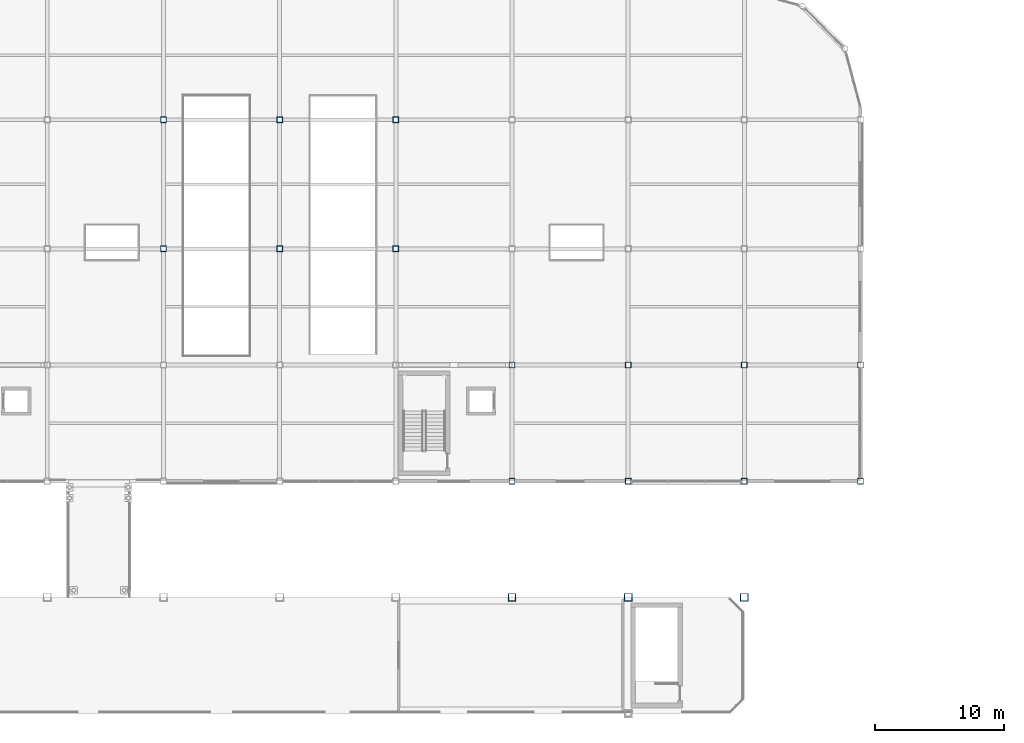
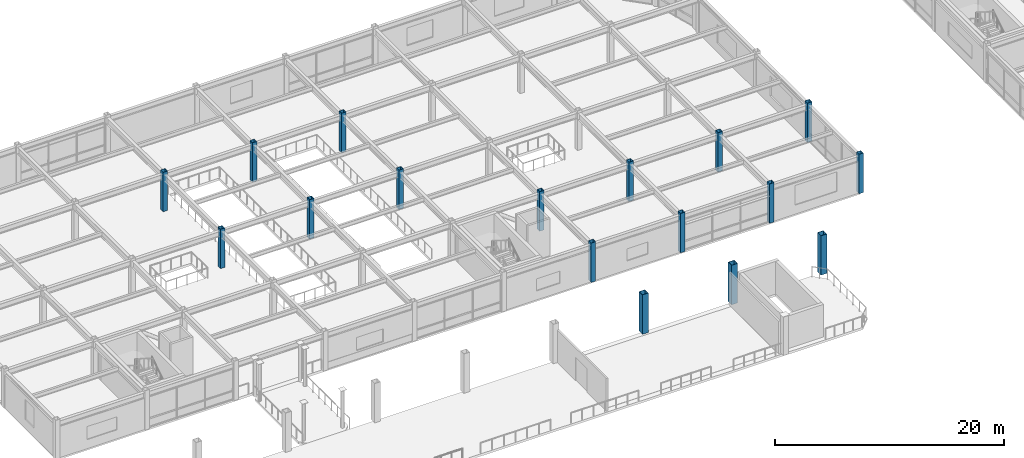
# One storey, part 13 of 105: 17 columns.
"""IFC4 building model written with IfcOpenShell, lengths in metres."""

import ifcopenshell
import ifcopenshell.guid

model = None  # the IFC model being written
_history = None  # IfcOwnerHistory: only IFC2X3 demands one
_inside = {}  # id of a spatial element -> (the spatial element, [elements in it])
_under = {}  # id of a project, library or spatial element -> (it, [spatial elements below it])
_declared = {}  # id of a project -> (the project, [libraries it declares])
_typed = {}  # id of a type object -> (the type object, [elements of that type])
_made_of = {}  # id of a material, layer set ... -> (it, [elements and type objects made of it])


def new_model(schema):
    """Start an empty IFC model of exactly this schema.

    Asked for "IFC4X3", IfcOpenShell would pick the latest addendum, in which some entities
    have other attributes; the version numbers below select the first issue.
    IFC2X3 requires an IfcOwnerHistory on every rooted entity: one is made here for all.
    """
    global model, _history
    if schema == "IFC4X3":
        model = ifcopenshell.file(schema_version=(4, 3, 0, 0))
    else:
        model = ifcopenshell.file(schema=schema)
    _inside.clear()
    _under.clear()
    _declared.clear()
    _typed.clear()
    _made_of.clear()
    _history = None
    if model.schema == "IFC2X3":
        org = make("IfcOrganization", Name="unknown")
        user = make(
            "IfcPersonAndOrganization",
            ThePerson=make("IfcPerson", FamilyName="unknown"),
            TheOrganization=org,
        )
        app = make(
            "IfcApplication",
            ApplicationDeveloper=org,
            Version="unknown",
            ApplicationFullName="unknown",
            ApplicationIdentifier="unknown",
        )
        _history = make(
            "IfcOwnerHistory",
            OwningUser=user,
            OwningApplication=app,
            ChangeAction="ADDED",
            CreationDate=0,
        )
    return model


def make(cls, **values):
    """One entity of the class cls with the attributes given. An attribute that is None is left unset."""
    return model.create_entity(
        cls, **{name: value for name, value in values.items() if value is not None}
    )


def rooted(cls, **values):
    """An entity with a GlobalId (a new one), such as an element, a storey or a relation."""
    return make(cls, GlobalId=ifcopenshell.guid.new(), OwnerHistory=_history, **values)


def si_unit(unit_type, name, prefix=None):
    """IfcSIUnit, for example si_unit("LENGTHUNIT", "METRE", prefix="MILLI")."""
    return make("IfcSIUnit", UnitType=unit_type, Prefix=prefix, Name=name)


def assignment(units):
    """IfcUnitAssignment: the units of a project."""
    return None if units is None else make("IfcUnitAssignment", Units=units)


def point(xyz):
    """IfcCartesianPoint."""
    return None if xyz is None else make("IfcCartesianPoint", Coordinates=xyz)


def direction(xyz):
    """IfcDirection."""
    return None if xyz is None else make("IfcDirection", DirectionRatios=xyz)


def frame(location, z_axis=None, x_axis=None):
    """IfcAxis2Placement3D, a coordinate frame: its origin and axes. An axis left out is left unset."""
    return make(
        "IfcAxis2Placement3D",
        Location=point(location),
        Axis=direction(z_axis),
        RefDirection=direction(x_axis),
    )


def frame_2d(location, x_axis=None):
    """IfcAxis2Placement2D, a coordinate frame in the plane: its origin and x axis."""
    return make(
        "IfcAxis2Placement2D", Location=point(location), RefDirection=direction(x_axis)
    )


def origin():
    """The frame at (0, 0, 0) with its axes left unset."""
    return frame((0.0, 0.0, 0.0))


def origin_2d():
    """The frame at (0, 0) in the plane with its x axis left unset."""
    return frame_2d((0.0, 0.0))


def place(relative_to, where):
    """IfcLocalPlacement: puts the frame where relative to a parent placement (None: the world)."""
    return make(
        "IfcLocalPlacement", PlacementRelTo=relative_to, RelativePlacement=where
    )


def context(
    kind, dimensions, precision=None, world=None, true_north=None, identifier=None
):
    """IfcGeometricRepresentationContext, for example the 3D "Model" context."""
    return make(
        "IfcGeometricRepresentationContext",
        ContextIdentifier=identifier,
        ContextType=kind,
        CoordinateSpaceDimension=dimensions,
        Precision=precision,
        WorldCoordinateSystem=world,
        TrueNorth=true_north,
    )


def subcontext(parent, identifier, kind, view, scale=None):
    """IfcGeometricRepresentationSubContext, for example "Body" below "Model"."""
    return make(
        "IfcGeometricRepresentationSubContext",
        ContextIdentifier=identifier,
        ContextType=kind,
        ParentContext=parent,
        TargetScale=scale,
        TargetView=view,
    )


def project(units=None, contexts=None):
    """IfcProject with its units and contexts."""
    return rooted(
        "IfcProject",
        Name="project",
        RepresentationContexts=contexts,
        UnitsInContext=assignment(units),
    )


def spatial(cls, under=None, at=None, **own):
    """A site, building, storey or space (cls), placed at a placement, below another one or the project."""
    s = rooted(cls, ObjectPlacement=at, **own)
    if under is not None:
        _under.setdefault(under.id(), (under, []))[1].append(s)
    return s


def profile(cls, at=None, kind="AREA", **sizes):
    """A parametric profile (cls). Its sizes go by their IFC names, for example OverallWidth=200.0."""
    return make(cls, ProfileType=kind, Position=at, **sizes)


def hollow_rectangle(**sizes):
    """IfcRectangleHollowProfileDef."""
    return profile("IfcRectangleHollowProfileDef", **sizes)


def extrude(swept, where, along, depth):
    """IfcExtrudedAreaSolid: the profile swept, set in the frame where, extruded along a direction by depth."""
    return make(
        "IfcExtrudedAreaSolid",
        SweptArea=swept,
        Position=where,
        ExtrudedDirection=direction(along),
        Depth=depth,
    )


def shape(context_of_items, identifier, shape_type, items):
    """IfcShapeRepresentation: the items that make up one representation, for example the "Body"."""
    return make(
        "IfcShapeRepresentation",
        ContextOfItems=context_of_items,
        RepresentationIdentifier=identifier,
        RepresentationType=shape_type,
        Items=items,
    )


def material(Name=None, Category=None):
    """IfcMaterial."""
    return make("IfcMaterial", Name=Name, Category=Category)


def material_profile(
    of_material, cross_section, Name=None, Category=None, Priority=None
):
    """IfcMaterialProfile: a cross section and its material."""
    return make(
        "IfcMaterialProfile",
        Name=Name,
        Material=of_material,
        Profile=cross_section,
        Priority=Priority,
        Category=Category,
    )


def profile_set(profiles, Name=None, composite=None):
    """IfcMaterialProfileSet."""
    return make(
        "IfcMaterialProfileSet",
        Name=Name,
        MaterialProfiles=profiles,
        CompositeProfile=composite,
    )


def made_of(thing, what):
    """Note that an element or type object is made of a material, layer set ...; save() writes the relation."""
    if what is not None:
        _made_of.setdefault(what.id(), (what, []))[1].append(thing)
    return thing


def type_object(cls, material=None, **own):
    """A type object (cls), such as IfcWallType, which elements share."""
    return made_of(rooted(cls, **own), material)


def element(
    cls,
    number,
    at=None,
    inside=None,
    cuts=None,
    type_object=None,
    material=None,
    context=None,
    identifier="Body",
    shape_type=None,
    held_by="IfcProductDefinitionShape",
    body=None,
    shapes=None,
    **own,
):
    """One element of the class cls, such as IfcWall. Its Tag is "e" and its number.

    at: its placement. inside: the storey or other place that contains it. cuts: it is an
    opening in that element (IfcRelVoidsElement). A single representation is given by context,
    identifier, shape_type and body (its items); several are given by shapes. held_by: the class
    of the entity that holds the representations. save() writes the other relations.
    """
    e = rooted(cls, Tag="e%d" % number, ObjectPlacement=at, **own)
    if body is not None:
        shapes = [shape(context, identifier, shape_type, body)]
    if shapes is not None:
        e.Representation = make(held_by, Representations=shapes)
    if inside is not None:
        _inside.setdefault(inside.id(), (inside, []))[1].append(e)
    if cuts is not None:
        rooted(
            "IfcRelVoidsElement", RelatingBuildingElement=cuts, RelatedOpeningElement=e
        )
    if type_object is not None:
        _typed.setdefault(type_object.id(), (type_object, []))[1].append(e)
    return made_of(e, material)


def aggregate(whole, parts):
    """IfcRelAggregates: a whole, such as a stair, and the parts it consists of."""
    return rooted("IfcRelAggregates", RelatingObject=whole, RelatedObjects=parts)


def save(model, path):
    """Write the relations noted so far, then the file.

    IfcRelAggregates (storeys below a building ...), IfcRelContainedInSpatialStructure (elements
    in a storey), IfcRelDefinesByType, IfcRelAssociatesMaterial and IfcRelDeclares: one each for
    every whole, place, type object, material and project.
    """
    for whole, parts in _under.values():
        aggregate(whole, parts)
    for where, things in _inside.values():
        rooted(
            "IfcRelContainedInSpatialStructure",
            RelatedElements=things,
            RelatingStructure=where,
        )
    for kind, things in _typed.values():
        rooted("IfcRelDefinesByType", RelatedObjects=things, RelatingType=kind)
    for what, things in _made_of.values():
        rooted("IfcRelAssociatesMaterial", RelatedObjects=things, RelatingMaterial=what)
    for by, libraries in _declared.values():
        rooted("IfcRelDeclares", RelatingContext=by, RelatedDefinitions=libraries)
    model.write(path)


model = new_model("IFC4")

# Units and contexts
model_context = context("Model", 3, precision=1e-05, world=origin(), true_north=direction((0.0, 1.0)))
body_context = subcontext(model_context, "Body", "Model", "MODEL_VIEW")
ifc_project = project(units=[si_unit("LENGTHUNIT", "METRE"), si_unit("AREAUNIT", "SQUARE_METRE"), si_unit("VOLUMEUNIT", "CUBIC_METRE"), si_unit("PLANEANGLEUNIT", "RADIAN"), si_unit("MASSUNIT", "GRAM", prefix="KILO")], contexts=[model_context])

# Site, building, storey
site_placement = place(None, origin())
site = spatial("IfcSite", under=ifc_project, at=site_placement, CompositionType="ELEMENT")
building_placement = place(site_placement, origin())
building = spatial("IfcBuilding", under=site, at=building_placement, Name="Suzunagisa Mobility Hub", CompositionType="ELEMENT")
storey_placement = place(building_placement, frame((0.0, 0.0, 5.10009765625)))
storey = spatial("IfcBuildingStorey", under=building, at=storey_placement, Name="L01", CompositionType="ELEMENT", Elevation=5.10009765625)

# Columns
ifc_material = material(Name="Steel SN490B", Category="steel")
ifc_material_profile_1 = material_profile(ifc_material, hollow_rectangle(XDim=0.60009765625, YDim=0.60009765625, WallThickness=0.031982421875, at=origin_2d()), Name="BOX-600x600x32")
ifc_profile_set_1 = profile_set([ifc_material_profile_1], Name="Steel SN490B")
column_type_1 = type_object("IfcColumnType", Name="Steel Column CL-05 BOX-600x600x32", PredefinedType="COLUMN", material=ifc_profile_set_1)
for number, where, z_axis, x_axis, name in (
    (1, (99.0, 71.0, 0.0), (0.0, 0.0, 1.0), (1.0, 0.0, 0.0), "L01 Column 194"),
    (2, (108.0, 71.0, 0.0), (0.0, 0.0, 1.0), (1.0, 0.0, 0.0), "L01 Column 203"),
    (3, (117.0, 71.0, 0.0), (0.0, 0.0, 1.0), (1.0, 0.0, 0.0), "L01 Column 214"),
):
    element("IfcColumn", number, at=place(storey_placement, frame(where, z_axis=z_axis, x_axis=x_axis)), inside=storey, type_object=column_type_1, Name=name, PredefinedType="COLUMN", context=body_context, shape_type="SweptSolid", body=[
        extrude(hollow_rectangle(XDim=0.60009765625, YDim=0.60009765625, WallThickness=0.031982421875, at=origin_2d()), origin(), (0.0, 0.0, 1.0), 4.199951171875),
    ])
ifc_material_profile_2 = material_profile(ifc_material, hollow_rectangle(XDim=0.449951171875, YDim=0.449951171875, WallThickness=0.02197265625, at=origin_2d()), Name="BCR-450x450x22")
ifc_profile_set_2 = profile_set([ifc_material_profile_2], Name="Steel SN490B")
column_type_2 = type_object("IfcColumnType", Name="Steel Column CL-17 BCR-450x450x22", PredefinedType="COLUMN", material=ifc_profile_set_2)
for number, where, z_axis, x_axis, name in (
    (4, (72.0, 98.0, 0.0), (0.0, 0.0, 1.0), (1.0, 0.0, 0.0), "L01 Column 156"),
    (5, (72.0, 108.0, 0.0), (0.0, 0.0, 1.0), (1.0, 0.0, 0.0), "L01 Column 157"),
    (6, (81.0, 98.0, 0.0), (0.0, 0.0, 1.0), (1.0, 0.0, 0.0), "L01 Column 173"),
    (7, (81.0, 108.0, 0.0), (0.0, 0.0, 1.0), (1.0, 0.0, 0.0), "L01 Column 174"),
    (8, (90.0, 98.0, 0.0), (0.0, 0.0, 1.0), (1.0, 0.0, 0.0), "L01 Column 188"),
    (9, (90.0, 108.0, 0.0), (0.0, 0.0, 1.0), (1.0, 0.0, 0.0), "L01 Column 189"),
    (10, (99.0, 80.0, 0.0), (0.0, 0.0, 1.0), (1.0, 0.0, 0.0), "L01 Column 195"),
    (11, (99.0, 89.0, 0.0), (0.0, 0.0, 1.0), (1.0, 0.0, 0.0), "L01 Column 196"),
    (12, (108.0, 80.0, 0.0), (0.0, 0.0, 1.0), (1.0, 0.0, 0.0), "L01 Column 204"),
    (13, (108.0, 89.0, 0.0), (0.0, 0.0, 1.0), (1.0, 0.0, 0.0), "L01 Column 205"),
    (14, (117.0, 80.0, 0.0), (0.0, 0.0, 1.0), (1.0, 0.0, 0.0), "L01 Column 215"),
    (15, (117.0, 89.0, 0.0), (0.0, 0.0, 1.0), (1.0, 0.0, 0.0), "L01 Column 216"),
    (16, (126.0, 80.0, 0.0), (0.0, 0.0, 1.0), (1.0, 0.0, 0.0), "L01 Column 233"),
    (17, (126.0, 89.0, 0.0), (0.0, 0.0, 1.0), (1.0, 0.0, 0.0), "L01 Column 234"),
):
    element("IfcColumn", number, at=place(storey_placement, frame(where, z_axis=z_axis, x_axis=x_axis)), inside=storey, type_object=column_type_2, Name=name, PredefinedType="COLUMN", context=body_context, shape_type="SweptSolid", body=[
        extrude(hollow_rectangle(XDim=0.449951171875, YDim=0.449951171875, WallThickness=0.02197265625, at=origin_2d()), origin(), (0.0, 0.0, 1.0), 4.199951171875),
    ])

save(model, "model.ifc")
